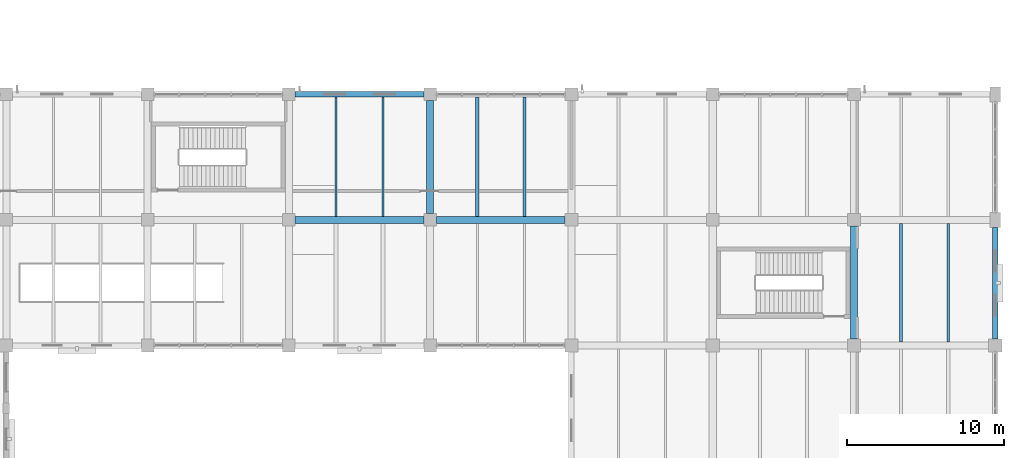
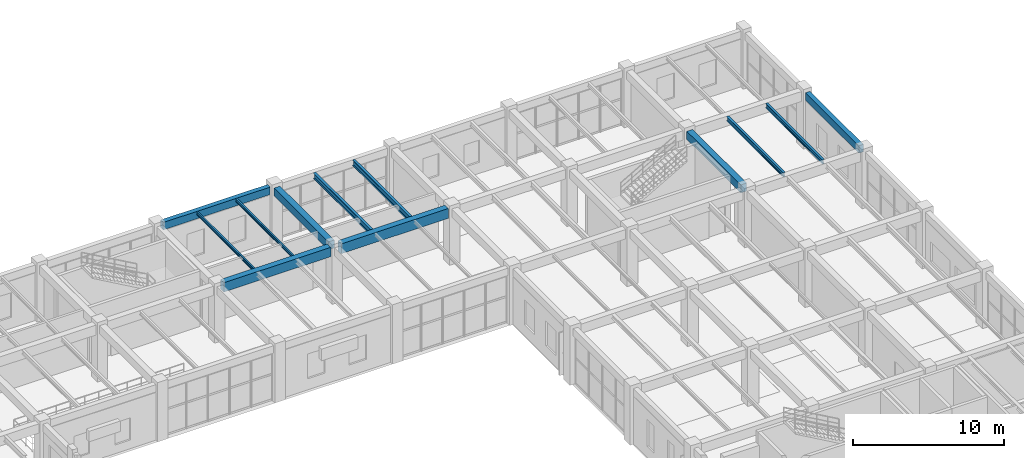
# One storey, part 133 of 178: 12 beams.
"""IFC4 building model written with IfcOpenShell, lengths in metres."""

from ifc_helpers import new_model, si_unit, derived_unit, direction, frame, origin, origin_2d, place, context, subcontext, project, spatial, rectangle, i_section, extrude, material, material_profile, profile_set, type_object, element, save


model = new_model("IFC4")

# Units and contexts
model_context = context("Model", 3, precision=1e-05, world=origin(), true_north=direction((0.0, 1.0)))
body_context = subcontext(model_context, "Body", "Model", "MODEL_VIEW")
ifc_project = project(units=[si_unit("LENGTHUNIT", "METRE"), si_unit("AREAUNIT", "SQUARE_METRE"), si_unit("VOLUMEUNIT", "CUBIC_METRE"), si_unit("PLANEANGLEUNIT", "RADIAN"), si_unit("MASSUNIT", "GRAM", prefix="KILO"), derived_unit("THERMALTRANSMITTANCEUNIT", [(si_unit("MASSUNIT", "GRAM", prefix="KILO"), 1), (si_unit("TIMEUNIT", "SECOND"), -3), (si_unit("THERMODYNAMICTEMPERATUREUNIT", "KELVIN"), -1)])], contexts=[model_context])

# Site, building, storey
site_placement = place(None, origin())
site = spatial("IfcSite", under=ifc_project, at=site_placement, CompositionType="ELEMENT")
building_placement = place(site_placement, origin())
building = spatial("IfcBuilding", under=site, at=building_placement, Name="Zhenchuan Archway Interchange", CompositionType="ELEMENT")
storey_placement = place(building_placement, frame((0.0, 0.0, 5.39990234375)))
storey = spatial("IfcBuildingStorey", under=building, at=storey_placement, Name="L01", CompositionType="ELEMENT", Elevation=5.39990234375)

# Beams
ifc_material_1 = material(Name="Concrete C40", Category="concrete")
ifc_material_profile_1 = material_profile(ifc_material_1, rectangle(XDim=0.449951171875, YDim=0.64990234375, at=origin_2d()), Name="RC 450x650")
ifc_profile_set_1 = profile_set([ifc_material_profile_1], Name="Concrete C40")
beam_type_1 = type_object("IfcBeamType", Name="BM_RC_450x650", PredefinedType="BEAM", material=ifc_profile_set_1)
beam_1_placement = place(storey_placement, frame((135.0, 96.39990234375, 4.18505859375), z_axis=(0.0, 1.0, 0.0), x_axis=(-1.0, 0.0, 0.0)))
element("IfcBeam", 1, at=beam_1_placement, inside=storey, type_object=beam_type_1, Name="Beam 16:N-O (L01)", PredefinedType="BEAM", context=body_context, shape_type="SweptSolid", body=[
    extrude(rectangle(XDim=0.449951171875, YDim=0.64990234375, at=origin_2d()), origin(), (0.0, 0.0, 1.0), 7.2001953125),
])
beam_2_placement = place(storey_placement, frame((162.0, 88.425048828125, 4.18505859375), z_axis=(0.0, 1.0, 0.0), x_axis=(-1.0, 0.0, 0.0)))
element("IfcBeam", 2, at=beam_2_placement, inside=storey, type_object=beam_type_1, Name="Beam 19:M-N (L01)", PredefinedType="BEAM", context=body_context, shape_type="SweptSolid", body=[
    extrude(rectangle(XDim=0.449951171875, YDim=0.64990234375, at=origin_2d()), origin(), (0.0, 0.0, 1.0), 7.175048828125),
])
ifc_material_profile_2 = material_profile(ifc_material_1, rectangle(XDim=0.449951171875, YDim=0.75, at=origin_2d()), Name="RC 450x750")
ifc_profile_set_2 = profile_set([ifc_material_profile_2], Name="Concrete C40")
beam_type_2 = type_object("IfcBeamType", Name="BM_RC_450x750", PredefinedType="BEAM", material=ifc_profile_set_2)
beam_3_placement = place(storey_placement, frame((126.39990234375, 96.0, 4.135009765625), z_axis=(1.0, 0.0, 0.0), x_axis=(0.0, 1.0, 0.0)))
element("IfcBeam", 3, at=beam_3_placement, inside=storey, type_object=beam_type_2, Name="Beam N:15-16 (L01)", PredefinedType="BEAM", context=body_context, shape_type="SweptSolid", body=[
    extrude(rectangle(XDim=0.449951171875, YDim=0.75, at=origin_2d()), origin(), (0.0, 0.0, 1.0), 8.2001953125),
])
ifc_material_profile_3 = material_profile(ifc_material_1, rectangle(XDim=0.449951171875, YDim=0.800048828125, at=origin_2d()), Name="RC 450x800")
ifc_profile_set_3 = profile_set([ifc_material_profile_3], Name="Concrete C40")
beam_type_3 = type_object("IfcBeamType", Name="BM_RC_450x800", PredefinedType="BEAM", material=ifc_profile_set_3)
beam_4_placement = place(storey_placement, frame((135.39990234375, 96.0, 4.110107421875), z_axis=(1.0, 0.0, 0.0), x_axis=(0.0, 1.0, 0.0)))
element("IfcBeam", 4, at=beam_4_placement, inside=storey, type_object=beam_type_3, Name="Beam N:16-17 (L01)", PredefinedType="BEAM", context=body_context, shape_type="SweptSolid", body=[
    extrude(rectangle(XDim=0.449951171875, YDim=0.800048828125, at=origin_2d()), origin(), (0.0, 0.0, 1.0), 8.2001953125),
])
ifc_material_2 = material(Name="Steel Q355", Category="steel")
ifc_material_profile_4 = material_profile(ifc_material_2, i_section(OverallWidth=0.125, OverallDepth=0.25, WebThickness=0.006103515625, FlangeThickness=0.009033203125, FilletRadius=0.011962890625, at=origin_2d()), Name="HN 250x125")
ifc_profile_set_4 = profile_set([ifc_material_profile_4], Name="Steel Q355")
beam_type_4 = type_object("IfcBeamType", Name="JST_STL_HN250", PredefinedType="JOIST", material=ifc_profile_set_4)
for number, where, z_axis, x_axis, name in (
    (5, (129.0, 96.22509765625, 4.385009765625), (0.0, 1.0, 0.0), (-1.0, 0.0, 0.0), "Secondary joist 15-16/N-O #1 (L01)"),
    (6, (132.0, 96.22509765625, 4.385009765625), (0.0, 1.0, 0.0), (-1.0, 0.0, 0.0), "Secondary joist 15-16/N-O #2 (L01)"),
):
    element("IfcBeam", number, at=place(storey_placement, frame(where, z_axis=z_axis, x_axis=x_axis)), inside=storey, type_object=beam_type_4, Name=name, PredefinedType="JOIST", context=body_context, shape_type="SweptSolid", body=[
        extrude(i_section(OverallWidth=0.125, OverallDepth=0.25, WebThickness=0.006103515625, FlangeThickness=0.009033203125, FilletRadius=0.011962890625, at=origin_2d()), origin(), (0.0, 0.0, 1.0), 7.599853515625),
    ])
ifc_material_profile_5 = material_profile(ifc_material_2, i_section(OverallWidth=0.175048828125, OverallDepth=0.35009765625, WebThickness=0.007080078125, FlangeThickness=0.010986328125, FilletRadius=0.013916015625, at=origin_2d()), Name="HN 350x175")
ifc_profile_set_5 = profile_set([ifc_material_profile_5], Name="Steel Q355")
beam_type_5 = type_object("IfcBeamType", Name="JST_STL_HN350", PredefinedType="JOIST", material=ifc_profile_set_5)
for number, where, z_axis, x_axis, name in (
    (7, (165.0, 88.22509765625, 4.335205078125), (0.0, 1.0, 0.0), (-1.0, 0.0, 0.0), "Secondary joist 19-20/M-N #1 (L01)"),
    (8, (168.0, 88.22509765625, 4.335205078125), (0.0, 1.0, 0.0), (-1.0, 0.0, 0.0), "Secondary joist 19-20/M-N #2 (L01)"),
):
    element("IfcBeam", number, at=place(storey_placement, frame(where, z_axis=z_axis, x_axis=x_axis)), inside=storey, type_object=beam_type_5, Name=name, PredefinedType="JOIST", context=body_context, shape_type="SweptSolid", body=[
        extrude(i_section(OverallWidth=0.175048828125, OverallDepth=0.35009765625, WebThickness=0.007080078125, FlangeThickness=0.010986328125, FilletRadius=0.013916015625, at=origin_2d()), origin(), (0.0, 0.0, 1.0), 7.5498046875),
    ])
ifc_material_profile_6 = material_profile(ifc_material_2, i_section(OverallWidth=0.199951171875, OverallDepth=0.449951171875, WebThickness=0.009033203125, FlangeThickness=0.013916015625, FilletRadius=0.01806640625, at=origin_2d()), Name="HN 450x200")
ifc_profile_set_6 = profile_set([ifc_material_profile_6], Name="Steel Q355")
beam_type_6 = type_object("IfcBeamType", Name="JST_STL_HN450", PredefinedType="JOIST", material=ifc_profile_set_6)
for number, where, z_axis, x_axis, name in (
    (9, (138.0, 96.22509765625, 4.28515625), (0.0, 1.0, 0.0), (-1.0, 0.0, 0.0), "Secondary joist 16-17/N-O #1 (L01)"),
    (10, (141.0, 96.22509765625, 4.28515625), (0.0, 1.0, 0.0), (-1.0, 0.0, 0.0), "Secondary joist 16-17/N-O #2 (L01)"),
):
    element("IfcBeam", number, at=place(storey_placement, frame(where, z_axis=z_axis, x_axis=x_axis)), inside=storey, type_object=beam_type_6, Name=name, PredefinedType="JOIST", context=body_context, shape_type="SweptSolid", body=[
        extrude(i_section(OverallWidth=0.199951171875, OverallDepth=0.449951171875, WebThickness=0.009033203125, FlangeThickness=0.013916015625, FilletRadius=0.01806640625, at=origin_2d()), origin(), (0.0, 0.0, 1.0), 7.599853515625),
    ])
ifc_material_profile_7 = material_profile(ifc_material_1, rectangle(XDim=0.35009765625, YDim=0.60009765625, at=origin_2d()), Name="RC 350x600")
ifc_profile_set_7 = profile_set([ifc_material_profile_7], Name="Concrete C40")
beam_type_7 = type_object("IfcBeamType", Name="SP_RC_350x600", PredefinedType="SPANDREL", material=ifc_profile_set_7)
beam_5_placement = place(storey_placement, frame((126.39990234375, 104.0, 4.210205078125), z_axis=(1.0, 0.0, 0.0), x_axis=(0.0, 1.0, 0.0)))
element("IfcBeam", 11, at=beam_5_placement, inside=storey, type_object=beam_type_7, Name="Beam O:15-16 (L01)", PredefinedType="SPANDREL", context=body_context, shape_type="SweptSolid", body=[
    extrude(rectangle(XDim=0.35009765625, YDim=0.60009765625, at=origin_2d()), origin(), (0.0, 0.0, 1.0), 8.2001953125),
])
beam_6_placement = place(storey_placement, frame((171.0, 88.425048828125, 4.210205078125), z_axis=(0.0, 1.0, 0.0), x_axis=(-1.0, 0.0, 0.0)))
element("IfcBeam", 12, at=beam_6_placement, inside=storey, type_object=beam_type_7, Name="Beam 20:M-N (L01)", PredefinedType="SPANDREL", context=body_context, shape_type="SweptSolid", body=[
    extrude(rectangle(XDim=0.35009765625, YDim=0.60009765625, at=origin_2d()), origin(), (0.0, 0.0, 1.0), 7.099853515625),
])

save(model, "model.ifc")
